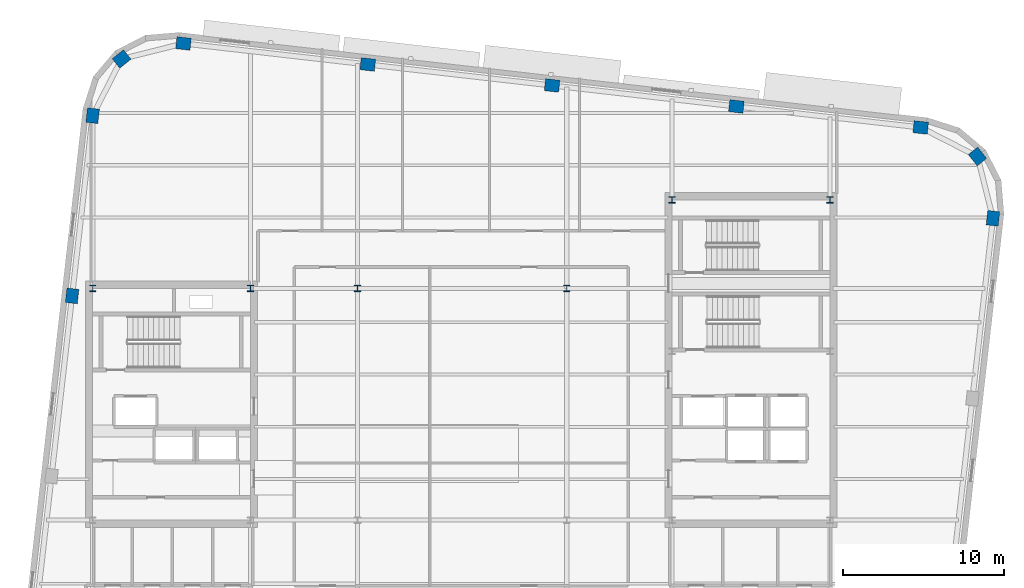
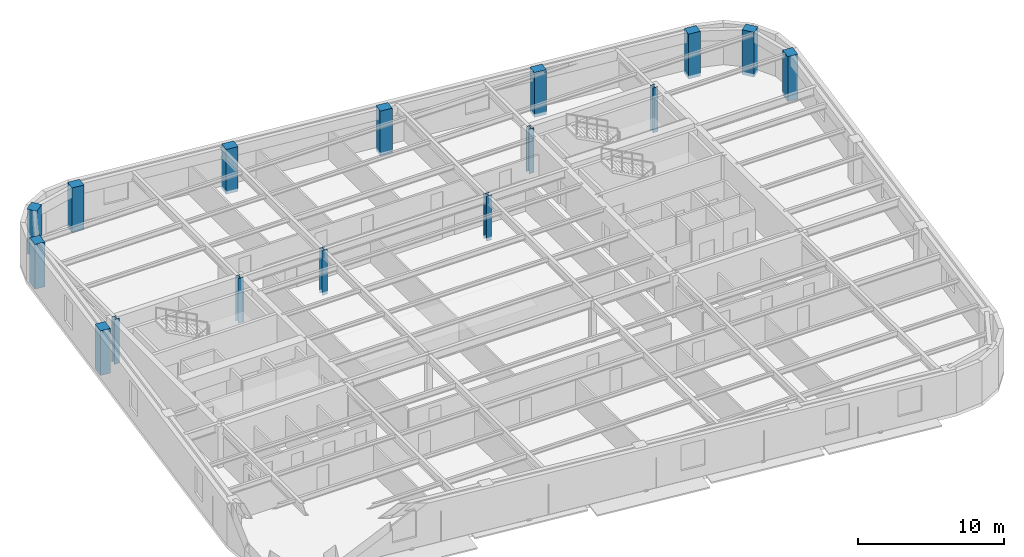
# One storey, part 2 of 13: 16 columns.
"""IFC4 building model written with IfcOpenShell, lengths in metres."""

import ifcopenshell
import ifcopenshell.guid

model = None  # the IFC model being written
_history = None  # IfcOwnerHistory: only IFC2X3 demands one
_inside = {}  # id of a spatial element -> (the spatial element, [elements in it])
_under = {}  # id of a project, library or spatial element -> (it, [spatial elements below it])
_declared = {}  # id of a project -> (the project, [libraries it declares])
_typed = {}  # id of a type object -> (the type object, [elements of that type])
_made_of = {}  # id of a material, layer set ... -> (it, [elements and type objects made of it])


def new_model(schema):
    """Start an empty IFC model of exactly this schema.

    Asked for "IFC4X3", IfcOpenShell would pick the latest addendum, in which some entities
    have other attributes; the version numbers below select the first issue.
    IFC2X3 requires an IfcOwnerHistory on every rooted entity: one is made here for all.
    """
    global model, _history
    if schema == "IFC4X3":
        model = ifcopenshell.file(schema_version=(4, 3, 0, 0))
    else:
        model = ifcopenshell.file(schema=schema)
    _inside.clear()
    _under.clear()
    _declared.clear()
    _typed.clear()
    _made_of.clear()
    _history = None
    if model.schema == "IFC2X3":
        org = make("IfcOrganization", Name="unknown")
        user = make(
            "IfcPersonAndOrganization",
            ThePerson=make("IfcPerson", FamilyName="unknown"),
            TheOrganization=org,
        )
        app = make(
            "IfcApplication",
            ApplicationDeveloper=org,
            Version="unknown",
            ApplicationFullName="unknown",
            ApplicationIdentifier="unknown",
        )
        _history = make(
            "IfcOwnerHistory",
            OwningUser=user,
            OwningApplication=app,
            ChangeAction="ADDED",
            CreationDate=0,
        )
    return model


def make(cls, **values):
    """One entity of the class cls with the attributes given. An attribute that is None is left unset."""
    return model.create_entity(
        cls, **{name: value for name, value in values.items() if value is not None}
    )


def rooted(cls, **values):
    """An entity with a GlobalId (a new one), such as an element, a storey or a relation."""
    return make(cls, GlobalId=ifcopenshell.guid.new(), OwnerHistory=_history, **values)


def si_unit(unit_type, name, prefix=None):
    """IfcSIUnit, for example si_unit("LENGTHUNIT", "METRE", prefix="MILLI")."""
    return make("IfcSIUnit", UnitType=unit_type, Prefix=prefix, Name=name)


def assignment(units):
    """IfcUnitAssignment: the units of a project."""
    return None if units is None else make("IfcUnitAssignment", Units=units)


def point(xyz):
    """IfcCartesianPoint."""
    return None if xyz is None else make("IfcCartesianPoint", Coordinates=xyz)


def direction(xyz):
    """IfcDirection."""
    return None if xyz is None else make("IfcDirection", DirectionRatios=xyz)


def frame(location, z_axis=None, x_axis=None):
    """IfcAxis2Placement3D, a coordinate frame: its origin and axes. An axis left out is left unset."""
    return make(
        "IfcAxis2Placement3D",
        Location=point(location),
        Axis=direction(z_axis),
        RefDirection=direction(x_axis),
    )


def frame_2d(location, x_axis=None):
    """IfcAxis2Placement2D, a coordinate frame in the plane: its origin and x axis."""
    return make(
        "IfcAxis2Placement2D", Location=point(location), RefDirection=direction(x_axis)
    )


def origin():
    """The frame at (0, 0, 0) with its axes left unset."""
    return frame((0.0, 0.0, 0.0))


def origin_2d():
    """The frame at (0, 0) in the plane with its x axis left unset."""
    return frame_2d((0.0, 0.0))


def place(relative_to, where):
    """IfcLocalPlacement: puts the frame where relative to a parent placement (None: the world)."""
    return make(
        "IfcLocalPlacement", PlacementRelTo=relative_to, RelativePlacement=where
    )


def context(
    kind, dimensions, precision=None, world=None, true_north=None, identifier=None
):
    """IfcGeometricRepresentationContext, for example the 3D "Model" context."""
    return make(
        "IfcGeometricRepresentationContext",
        ContextIdentifier=identifier,
        ContextType=kind,
        CoordinateSpaceDimension=dimensions,
        Precision=precision,
        WorldCoordinateSystem=world,
        TrueNorth=true_north,
    )


def subcontext(parent, identifier, kind, view, scale=None):
    """IfcGeometricRepresentationSubContext, for example "Body" below "Model"."""
    return make(
        "IfcGeometricRepresentationSubContext",
        ContextIdentifier=identifier,
        ContextType=kind,
        ParentContext=parent,
        TargetScale=scale,
        TargetView=view,
    )


def project(units=None, contexts=None):
    """IfcProject with its units and contexts."""
    return rooted(
        "IfcProject",
        Name="project",
        RepresentationContexts=contexts,
        UnitsInContext=assignment(units),
    )


def spatial(cls, under=None, at=None, **own):
    """A site, building, storey or space (cls), placed at a placement, below another one or the project."""
    s = rooted(cls, ObjectPlacement=at, **own)
    if under is not None:
        _under.setdefault(under.id(), (under, []))[1].append(s)
    return s


def profile(cls, at=None, kind="AREA", **sizes):
    """A parametric profile (cls). Its sizes go by their IFC names, for example OverallWidth=200.0."""
    return make(cls, ProfileType=kind, Position=at, **sizes)


def rectangle(**sizes):
    """IfcRectangleProfileDef."""
    return profile("IfcRectangleProfileDef", **sizes)


def i_section(**sizes):
    """IfcIShapeProfileDef."""
    return profile("IfcIShapeProfileDef", **sizes)


def extrude(swept, where, along, depth):
    """IfcExtrudedAreaSolid: the profile swept, set in the frame where, extruded along a direction by depth."""
    return make(
        "IfcExtrudedAreaSolid",
        SweptArea=swept,
        Position=where,
        ExtrudedDirection=direction(along),
        Depth=depth,
    )


def shape(context_of_items, identifier, shape_type, items):
    """IfcShapeRepresentation: the items that make up one representation, for example the "Body"."""
    return make(
        "IfcShapeRepresentation",
        ContextOfItems=context_of_items,
        RepresentationIdentifier=identifier,
        RepresentationType=shape_type,
        Items=items,
    )


def material(Name=None, Category=None):
    """IfcMaterial."""
    return make("IfcMaterial", Name=Name, Category=Category)


def material_profile(
    of_material, cross_section, Name=None, Category=None, Priority=None
):
    """IfcMaterialProfile: a cross section and its material."""
    return make(
        "IfcMaterialProfile",
        Name=Name,
        Material=of_material,
        Profile=cross_section,
        Priority=Priority,
        Category=Category,
    )


def profile_set(profiles, Name=None, composite=None):
    """IfcMaterialProfileSet."""
    return make(
        "IfcMaterialProfileSet",
        Name=Name,
        MaterialProfiles=profiles,
        CompositeProfile=composite,
    )


def made_of(thing, what):
    """Note that an element or type object is made of a material, layer set ...; save() writes the relation."""
    if what is not None:
        _made_of.setdefault(what.id(), (what, []))[1].append(thing)
    return thing


def type_object(cls, material=None, **own):
    """A type object (cls), such as IfcWallType, which elements share."""
    return made_of(rooted(cls, **own), material)


def element(
    cls,
    number,
    at=None,
    inside=None,
    cuts=None,
    type_object=None,
    material=None,
    context=None,
    identifier="Body",
    shape_type=None,
    held_by="IfcProductDefinitionShape",
    body=None,
    shapes=None,
    **own,
):
    """One element of the class cls, such as IfcWall. Its Tag is "e" and its number.

    at: its placement. inside: the storey or other place that contains it. cuts: it is an
    opening in that element (IfcRelVoidsElement). A single representation is given by context,
    identifier, shape_type and body (its items); several are given by shapes. held_by: the class
    of the entity that holds the representations. save() writes the other relations.
    """
    e = rooted(cls, Tag="e%d" % number, ObjectPlacement=at, **own)
    if body is not None:
        shapes = [shape(context, identifier, shape_type, body)]
    if shapes is not None:
        e.Representation = make(held_by, Representations=shapes)
    if inside is not None:
        _inside.setdefault(inside.id(), (inside, []))[1].append(e)
    if cuts is not None:
        rooted(
            "IfcRelVoidsElement", RelatingBuildingElement=cuts, RelatedOpeningElement=e
        )
    if type_object is not None:
        _typed.setdefault(type_object.id(), (type_object, []))[1].append(e)
    return made_of(e, material)


def aggregate(whole, parts):
    """IfcRelAggregates: a whole, such as a stair, and the parts it consists of."""
    return rooted("IfcRelAggregates", RelatingObject=whole, RelatedObjects=parts)


def save(model, path):
    """Write the relations noted so far, then the file.

    IfcRelAggregates (storeys below a building ...), IfcRelContainedInSpatialStructure (elements
    in a storey), IfcRelDefinesByType, IfcRelAssociatesMaterial and IfcRelDeclares: one each for
    every whole, place, type object, material and project.
    """
    for whole, parts in _under.values():
        aggregate(whole, parts)
    for where, things in _inside.values():
        rooted(
            "IfcRelContainedInSpatialStructure",
            RelatedElements=things,
            RelatingStructure=where,
        )
    for kind, things in _typed.values():
        rooted("IfcRelDefinesByType", RelatedObjects=things, RelatingType=kind)
    for what, things in _made_of.values():
        rooted("IfcRelAssociatesMaterial", RelatedObjects=things, RelatingMaterial=what)
    for by, libraries in _declared.values():
        rooted("IfcRelDeclares", RelatingContext=by, RelatedDefinitions=libraries)
    model.write(path)


model = new_model("IFC4")

# Units and contexts
model_context = context("Model", 3, precision=1e-05, world=origin(), true_north=direction((0.0, 1.0)))
body_context = subcontext(model_context, "Body", "Model", "MODEL_VIEW")
ifc_project = project(units=[si_unit("LENGTHUNIT", "METRE"), si_unit("AREAUNIT", "SQUARE_METRE"), si_unit("VOLUMEUNIT", "CUBIC_METRE"), si_unit("PLANEANGLEUNIT", "RADIAN"), si_unit("MASSUNIT", "GRAM", prefix="KILO")], contexts=[model_context])

# Site, building, storey
site_placement = place(None, origin())
site = spatial("IfcSite", under=ifc_project, at=site_placement, CompositionType="ELEMENT")
building_placement = place(site_placement, origin())
building = spatial("IfcBuilding", under=site, at=building_placement, Name="Kolvaren Arena Tower", CompositionType="ELEMENT")
storey_placement = place(building_placement, frame((0.0, 0.0, 250.949951171875)))
storey = spatial("IfcBuildingStorey", under=building, at=storey_placement, Name="L61", CompositionType="ELEMENT", Elevation=250.949951171875)

# Columns
ifc_material_1 = material(Name="Precast concrete C55/67", Category="concrete")
ifc_material_profile_1 = material_profile(ifc_material_1, rectangle(XDim=0.89990234375, YDim=0.75, at=origin_2d()), Name="RC-900x750")
ifc_profile_set_1 = profile_set([ifc_material_profile_1], Name="Precast concrete C55/67")
column_type_1 = type_object("IfcColumnType", Name="EXCOL-Z4", PredefinedType="COLUMN", material=ifc_profile_set_1)
for number, where, z_axis, x_axis, name in (
    (1, (70.482177734375, 38.20458984375, -0.27001953125), (0.0, 0.0, 1.0), (0.113203213768, 0.993571855677, 0.0), "Exoskeleton Perimeter Column 10 (L61)"),
    (2, (69.519775390625, 42.047119140625, -0.27001953125), (0.0, 0.0, 1.0), (-0.622514636638, 0.782608156852, 0.0), "Exoskeleton Perimeter Column 11 (L61)"),
    (3, (65.9921875, 43.84912109375, -0.27001953125), (0.0, 0.0, 1.0), (0.993571855677, -0.113203213768, 0.0), "Exoskeleton Perimeter Column 12 (L61)"),
    (4, (54.54150390625, 45.15380859375, -0.27001953125), (0.0, 0.0, 1.0), (0.993571855677, -0.113203213768, 0.0), "Exoskeleton Perimeter Column 13 (L61)"),
    (5, (43.090576171875, 46.45849609375, -0.27001953125), (0.0, 0.0, 1.0), (0.993571855677, -0.113203213768, 0.0), "Exoskeleton Perimeter Column 14 (L61)"),
    (6, (31.6396484375, 47.76318359375, -0.27001953125), (0.0, 0.0, 1.0), (0.993571855677, -0.113203213768, 0.0), "Exoskeleton Perimeter Column 15 (L61)"),
    (7, (20.188720703125, 49.06787109375, -0.27001953125), (0.0, 0.0, 1.0), (0.993571855677, -0.113203213768, 0.0), "Exoskeleton Perimeter Column 16 (L61)"),
    (8, (16.34619140625, 48.10546875, -0.27001953125), (0.0, 0.0, 1.0), (0.782608156852, 0.622514636638, 0.0), "Exoskeleton Perimeter Column 17 (L61)"),
    (9, (14.544189453125, 44.577880859375, -0.27001953125), (0.0, 0.0, 1.0), (0.113203213768, 0.993571855677, 0.0), "Exoskeleton Perimeter Column 18 (L61)"),
    (10, (13.268798828125, 33.3837890625, -0.27001953125), (0.0, 0.0, 1.0), (0.113203213768, 0.993571855677, 0.0), "Exoskeleton Perimeter Column 19 (L61)"),
):
    element("IfcColumn", number, at=place(storey_placement, frame(where, z_axis=z_axis, x_axis=x_axis)), inside=storey, type_object=column_type_1, Name=name, PredefinedType="COLUMN", context=body_context, shape_type="SweptSolid", body=[
        extrude(rectangle(XDim=0.89990234375, YDim=0.75, at=origin_2d()), origin(), (0.0, 0.0, 1.0), 3.75),
    ])
ifc_material_2 = material(Name="Steel ASTM A913 Grade 65", Category="steel")
ifc_material_profile_2 = material_profile(ifc_material_2, i_section(OverallWidth=0.39892578125, OverallDepth=0.39306640625, WebThickness=0.022705078125, FlangeThickness=0.03662109375, FilletRadius=0.02001953125, at=origin_2d()), Name="W360x287")
ifc_profile_set_2 = profile_set([ifc_material_profile_2], Name="Steel ASTM A913 Grade 65")
column_type_2 = type_object("IfcColumnType", Name="SCOL-Z4", PredefinedType="COLUMN", material=ifc_profile_set_2)
for number, where, z_axis, x_axis, name in (
    (11, (14.550048828125, 33.85009765625, -0.27001953125), (0.0, 0.0, 1.0), (1.0, 0.0, 0.0), "Core Boundary Column WC-NW (L61)"),
    (12, (24.35009765625, 33.85009765625, -0.27001953125), (0.0, 0.0, 1.0), (1.0, 0.0, 0.0), "Core Boundary Column WC-NE (L61)"),
    (13, (50.550048828125, 39.35009765625, -0.27001953125), (0.0, 0.0, 1.0), (1.0, 0.0, 0.0), "Core Boundary Column EC-NW (L61)"),
    (14, (60.35009765625, 39.35009765625, -0.27001953125), (0.0, 0.0, 1.0), (1.0, 0.0, 0.0), "Core Boundary Column EC-NE (L61)"),
    (15, (31.0, 33.85009765625, -0.27001953125), (0.0, 0.0, 1.0), (1.0, 0.0, 0.0), "Interior Gravity Column TC-NW (L61)"),
    (16, (44.0, 33.85009765625, -0.27001953125), (0.0, 0.0, 1.0), (1.0, 0.0, 0.0), "Interior Gravity Column TC-NE (L61)"),
):
    element("IfcColumn", number, at=place(storey_placement, frame(where, z_axis=z_axis, x_axis=x_axis)), inside=storey, type_object=column_type_2, Name=name, PredefinedType="COLUMN", context=body_context, shape_type="SweptSolid", body=[
        extrude(i_section(OverallWidth=0.39892578125, OverallDepth=0.39306640625, WebThickness=0.022705078125, FlangeThickness=0.03662109375, FilletRadius=0.02001953125, at=origin_2d()), origin(), (0.0, 0.0, 1.0), 3.75),
    ])

save(model, "model.ifc")
